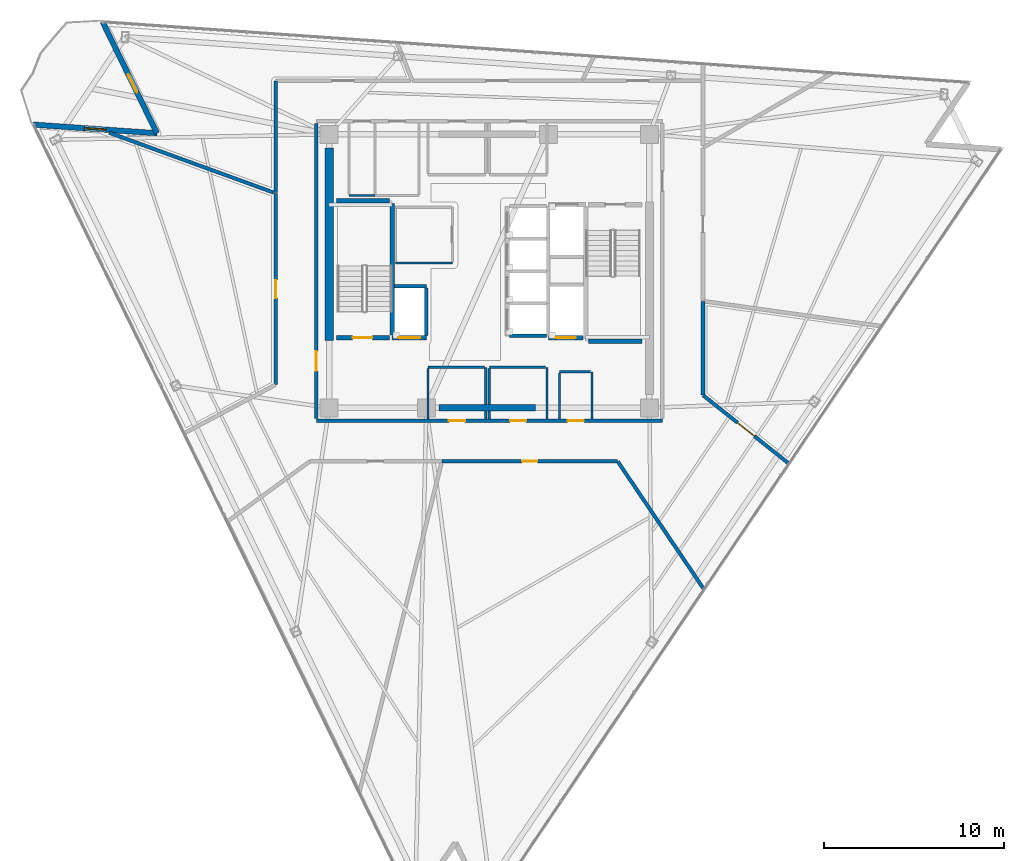
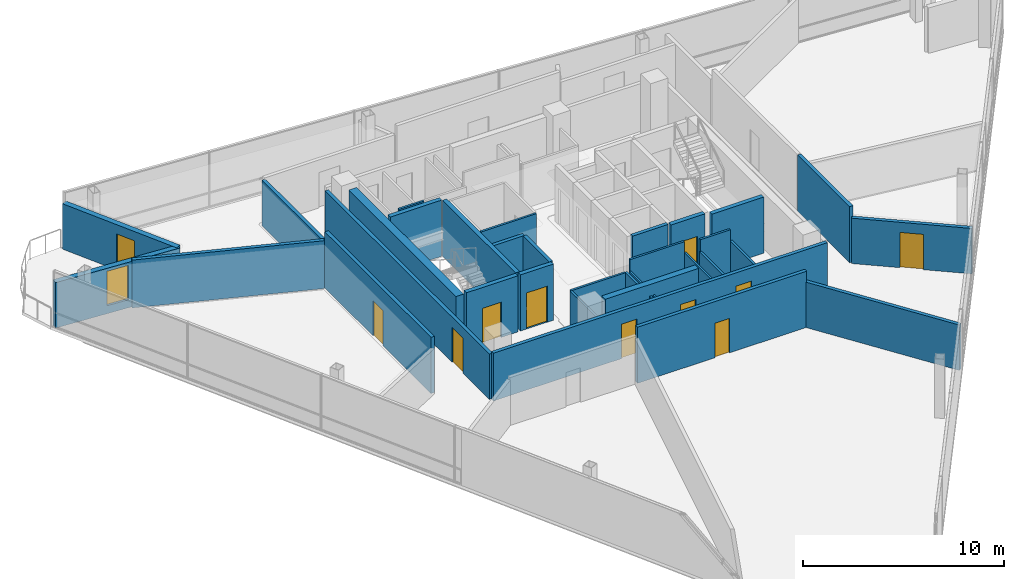
# One storey, part 9 of 13: 35 walls, 11 doors, 1 window, 12 openings.
"""IFC4 building model written with IfcOpenShell, lengths in metres."""

from ifc_helpers import new_model, si_unit, direction, frame, frame_2d, origin, place, context, subcontext, project, spatial, rectangle, extrude, material, layer, layer_set, type_object, element, fill, save


model = new_model("IFC4")

# Units and contexts
model_context = context("Model", 3, precision=1e-05, world=origin(), true_north=direction((0.0, 1.0)))
body_context = subcontext(model_context, "Body", "Model", "MODEL_VIEW")
ifc_project = project(units=[si_unit("LENGTHUNIT", "METRE"), si_unit("AREAUNIT", "SQUARE_METRE"), si_unit("VOLUMEUNIT", "CUBIC_METRE"), si_unit("PLANEANGLEUNIT", "RADIAN"), si_unit("MASSUNIT", "GRAM", prefix="KILO")], contexts=[model_context])

# Site, building, storey
site_placement = place(None, origin())
site = spatial("IfcSite", under=ifc_project, at=site_placement, CompositionType="ELEMENT")
building_placement = place(site_placement, origin())
building = spatial("IfcBuilding", under=site, at=building_placement, Name="Tharavind Bronze Gate", CompositionType="ELEMENT")
storey_placement = place(building_placement, frame((0.0, 0.0, 234.25)))
storey = spatial("IfcBuildingStorey", under=building, at=storey_placement, Name="L60", CompositionType="ELEMENT", Elevation=234.25)

# Wall, opening, door
ifc_material_1 = material(Name="Concrete C40/50", Category="concrete")
ifc_layer_1 = layer(ifc_material_1, 0.300048828125)
ifc_layer_set_1 = layer_set([ifc_layer_1], Name="Concrete C40/50")
wall_type_1 = type_object("IfcWallType", Name="EXTERIOR SPANDREL WALL 300", PredefinedType="STANDARD", material=ifc_layer_set_1)
wall_1_placement = place(storey_placement, frame((-21.489990234375, 13.844482421875, 0.0), z_axis=(0.0, 0.0, 1.0), x_axis=(0.438391471143, -0.898784133165, 0.0)))
wall_1 = element("IfcWall", 1, at=wall_1_placement, inside=storey, type_object=wall_type_1, Name="L60 notch cheek wall 1A", PredefinedType="STANDARD", context=body_context, shape_type="SweptSolid", body=[
    extrude(rectangle(XDim=6.8798828125, YDim=0.300048828125, at=frame_2d((3.43994140625, 0.0))), origin(), (0.0, 0.0, 1.0), 2.764892578125),
])
opening_1_placement = place(wall_1_placement, frame((3.248046875, 0.0, 0.0)))
opening_1 = element("IfcOpeningElement", 2, at=opening_1_placement, cuts=wall_1, Name="Opening ED04", PredefinedType="OPENING", context=body_context, shape_type="SweptSolid", body=[
    extrude(rectangle(XDim=1.10009765625, YDim=2.199951171875, at=frame_2d((0.550048828125, 1.10009765625))), frame((0.0, 0.15990234375, 0.0), z_axis=(0.0, -1.0, 0.0), x_axis=(1.0, 0.0, 0.0)), (0.0, 0.0, 1.0), 0.320048828125),
])
ifc_material_2 = material(Name="Bronze Aluminium & Toughened Glass", Category="aluminium")
door_type_1 = type_object("IfcDoorType", Name="TREE BALCONY ACCESS DOOR 1100X2200", OperationType="SINGLE_SWING_LEFT", PredefinedType="DOOR", material=ifc_material_2)
door_1_placement = place(opening_1_placement, origin())
door_1 = element("IfcDoor", 3, at=door_1_placement, inside=storey, type_object=door_type_1, Name="L60 tree balcony access door", OperationType="SINGLE_SWING_LEFT", OverallHeight=2.199951171875, OverallWidth=1.10009765625, PredefinedType="DOOR", context=body_context, shape_type="SweptSolid", body=[
    extrude(rectangle(XDim=1.10009765625, YDim=2.199951171875, at=frame_2d((0.550048828125, 1.10009765625))), frame((0.0, 0.02490234375, 0.0), z_axis=(0.0, -1.0, 0.0), x_axis=(1.0, 0.0, 0.0)), (0.0, 0.0, 1.0), 0.050048828125),
])
fill(opening_1, door_1)

# Wall, opening, window
wall_2_placement = place(storey_placement, frame((-18.473876953125, 7.660888671875, 0.0), z_axis=(0.0, 0.0, 1.0), x_axis=(-0.997565982203, 0.069728840176, 0.0)))
wall_2 = element("IfcWall", 4, at=wall_2_placement, inside=storey, type_object=wall_type_1, Name="L60 notch cheek wall 1B", PredefinedType="STANDARD", context=body_context, shape_type="SweptSolid", body=[
    extrude(rectangle(XDim=6.880126953125, YDim=0.300048828125, at=frame_2d((3.43994140625, 0.0))), origin(), (0.0, 0.0, 1.0), 2.764892578125),
])
opening_2_placement = place(wall_2_placement, frame((2.840087890625, 0.0, 0.485107421875)))
opening_2 = element("IfcOpeningElement", 5, at=opening_2_placement, cuts=wall_2, Name="Opening W01", PredefinedType="OPENING", context=body_context, shape_type="SweptSolid", body=[
    extrude(rectangle(XDim=1.199951171875, YDim=2.10009765625, at=frame_2d((0.60009765625, 1.050048828125))), frame((0.0, 0.15990234375, 0.0), z_axis=(0.0, -1.0, 0.0), x_axis=(1.0, 0.0, 0.0)), (0.0, 0.0, 1.0), 0.320048828125),
])
ifc_material_3 = material(Name="Bronze Aluminium & Low-E Glass", Category="aluminium")
window_type = type_object("IfcWindowType", Name="FIXED BRONZE CASEMENT WINDOW 1200X2100", PartitioningType="SINGLE_PANEL", PredefinedType="WINDOW", material=ifc_material_3)
window_placement = place(opening_2_placement, origin())
window = element("IfcWindow", 6, at=window_placement, inside=storey, type_object=window_type, Name="L60 exterior window WL-L60-NCB1-01", OverallHeight=2.10009765625, OverallWidth=1.199951171875, PartitioningType="SINGLE_PANEL", PredefinedType="WINDOW", context=body_context, shape_type="SweptSolid", body=[
    extrude(rectangle(XDim=1.199951171875, YDim=2.10009765625, at=frame_2d((0.60009765625, 1.050048828125))), frame((0.0, 0.030029296875, 0.0), z_axis=(0.0, -1.0, 0.0), x_axis=(1.0, 0.0, 0.0)), (0.0, 0.0, 1.0), 0.06005859375),
])
fill(opening_2, window)

# Wall, openings, doors
ifc_material_4 = material(Name="Aerated Concrete Block", Category="concrete")
ifc_layer_2 = layer(ifc_material_4, 0.199951171875)
ifc_layer_set_2 = layer_set([ifc_layer_2], Name="Aerated Concrete Block")
wall_type_2 = type_object("IfcWallType", Name="FIRE RATED PARTITION 200", PredefinedType="PARTITIONING", material=ifc_layer_set_2)
wall_3_placement = place(storey_placement, frame((-9.6201171875, -8.320068359375, 0.0), z_axis=(0.0, 0.0, 1.0), x_axis=(1.0, 0.0, 0.0)))
wall_3 = element("IfcWall", 7, at=wall_3_placement, inside=storey, type_object=wall_type_2, Name="L60 south core corridor wall", PredefinedType="PARTITIONING", context=body_context, shape_type="SweptSolid", body=[
    extrude(rectangle(XDim=19.240234375, YDim=0.199951171875, at=frame_2d((9.6201171875, 0.0))), origin(), (0.0, 0.0, 1.0), 2.9150390625),
])
opening_3_placement = place(wall_3_placement, frame((7.3701171875, 0.0, 0.0)))
opening_3 = element("IfcOpeningElement", 8, at=opening_3_placement, cuts=wall_3, Name="Opening ID07", PredefinedType="OPENING", context=body_context, shape_type="SweptSolid", body=[
    extrude(rectangle(XDim=0.89990234375, YDim=2.10009765625, at=frame_2d((0.449951171875, 1.050048828125))), frame((0.0, 0.11009765625, 0.0), z_axis=(0.0, -1.0, 0.0), x_axis=(1.0, 0.0, 0.0)), (0.0, 0.0, 1.0), 0.219951171875),
])
opening_4_placement = place(wall_3_placement, frame((10.77001953125, 0.0, 0.0)))
opening_4 = element("IfcOpeningElement", 9, at=opening_4_placement, cuts=wall_3, Name="Opening ID07", PredefinedType="OPENING", context=body_context, shape_type="SweptSolid", body=[
    extrude(rectangle(XDim=0.89990234375, YDim=2.10009765625, at=frame_2d((0.449951171875, 1.050048828125))), frame((0.0, 0.11009765625, 0.0), z_axis=(0.0, -1.0, 0.0), x_axis=(1.0, 0.0, 0.0)), (0.0, 0.0, 1.0), 0.219951171875),
])
opening_5_placement = place(wall_3_placement, frame((13.969970703125, 0.0, 0.0)))
opening_5 = element("IfcOpeningElement", 10, at=opening_5_placement, cuts=wall_3, Name="Opening ID07", PredefinedType="OPENING", context=body_context, shape_type="SweptSolid", body=[
    extrude(rectangle(XDim=0.89990234375, YDim=2.10009765625, at=frame_2d((0.449951171875, 1.050048828125))), frame((0.0, 0.11009765625, 0.0), z_axis=(0.0, -1.0, 0.0), x_axis=(1.0, 0.0, 0.0)), (0.0, 0.0, 1.0), 0.219951171875),
])
ifc_material_5 = material(Name="Galvanised Fire Steel", Category="steel")
door_type_2 = type_object("IfcDoorType", Name="PLANT AND RISER FIRE DOOR 900X2100", OperationType="SINGLE_SWING_LEFT", PredefinedType="DOOR", material=ifc_material_5)
door_2_placement = place(opening_3_placement, frame((0.89990234375, 0.0, 0.0), z_axis=(0.0, 0.0, 1.0), x_axis=(-1.0, 0.0, 0.0)))
door_2 = element("IfcDoor", 11, at=door_2_placement, inside=storey, type_object=door_type_2, Name="L60 Core Archive Store fire door", OperationType="SINGLE_SWING_LEFT", OverallHeight=2.10009765625, OverallWidth=0.89990234375, PredefinedType="DOOR", context=body_context, shape_type="SweptSolid", body=[
    extrude(rectangle(XDim=0.89990234375, YDim=2.10009765625, at=frame_2d((0.449951171875, 1.050048828125))), frame((0.0, 0.02490234375, 0.0), z_axis=(0.0, -1.0, 0.0), x_axis=(1.0, 0.0, 0.0)), (0.0, 0.0, 1.0), 0.050048828125),
])
fill(opening_3, door_2)
door_3_placement = place(opening_4_placement, frame((0.89990234375, 0.0, 0.0), z_axis=(0.0, 0.0, 1.0), x_axis=(-1.0, 0.0, 0.0)))
door_3 = element("IfcDoor", 12, at=door_3_placement, inside=storey, type_object=door_type_2, Name="L60 Core Server Room fire door", OperationType="SINGLE_SWING_LEFT", OverallHeight=2.10009765625, OverallWidth=0.89990234375, PredefinedType="DOOR", context=body_context, shape_type="SweptSolid", body=[
    extrude(rectangle(XDim=0.89990234375, YDim=2.10009765625, at=frame_2d((0.449951171875, 1.050048828125))), frame((0.0, 0.02490234375, 0.0), z_axis=(0.0, -1.0, 0.0), x_axis=(1.0, 0.0, 0.0)), (0.0, 0.0, 1.0), 0.050048828125),
])
fill(opening_4, door_3)
door_4_placement = place(opening_5_placement, frame((0.89990234375, 0.0, 0.0), z_axis=(0.0, 0.0, 1.0), x_axis=(-1.0, 0.0, 0.0)))
door_4 = element("IfcDoor", 13, at=door_4_placement, inside=storey, type_object=door_type_2, Name="L60 Janitor Store Cupboard fire door", OperationType="SINGLE_SWING_LEFT", OverallHeight=2.10009765625, OverallWidth=0.89990234375, PredefinedType="DOOR", context=body_context, shape_type="SweptSolid", body=[
    extrude(rectangle(XDim=0.89990234375, YDim=2.10009765625, at=frame_2d((0.449951171875, 1.050048828125))), frame((0.0, 0.02490234375, 0.0), z_axis=(0.0, -1.0, 0.0), x_axis=(1.0, 0.0, 0.0)), (0.0, 0.0, 1.0), 0.050048828125),
])
fill(opening_5, door_4)

# Wall, opening, door
wall_4_placement = place(storey_placement, frame((-9.6201171875, 8.199951171875, 0.0), z_axis=(0.0, 0.0, 1.0), x_axis=(0.0, -1.0, 0.0)))
wall_4 = element("IfcWall", 14, at=wall_4_placement, inside=storey, type_object=wall_type_2, Name="L60 west core corridor wall", PredefinedType="PARTITIONING", context=body_context, shape_type="SweptSolid", body=[
    extrude(rectangle(XDim=16.39990234375, YDim=0.199951171875, at=frame_2d((8.199951171875, 0.0))), origin(), (0.0, 0.0, 1.0), 2.764892578125),
])
opening_6_placement = place(wall_4_placement, frame((12.64990234375, 0.0, 0.0)))
opening_6 = element("IfcOpeningElement", 15, at=opening_6_placement, cuts=wall_4, Name="Opening ID01", PredefinedType="OPENING", context=body_context, shape_type="SweptSolid", body=[
    extrude(rectangle(XDim=1.10009765625, YDim=2.14990234375, at=frame_2d((0.550048828125, 1.074951171875))), frame((0.0, 0.11009765625, 0.0), z_axis=(0.0, -1.0, 0.0), x_axis=(1.0, 0.0, 0.0)), (0.0, 0.0, 1.0), 0.219951171875),
])
ifc_material_6 = material(Name="Fire-Rated Steel", Category="steel")
door_type_3 = type_object("IfcDoorType", Name="STAIR CORE FIRE DOOR 1100X2150", OperationType="SINGLE_SWING_LEFT", PredefinedType="DOOR", material=ifc_material_6)
door_5_placement = place(opening_6_placement, frame((1.10009765625, 0.0, 0.0), z_axis=(0.0, 0.0, 1.0), x_axis=(-1.0, 0.0, 0.0)))
door_5 = element("IfcDoor", 16, at=door_5_placement, inside=storey, type_object=door_type_3, Name="L60 south west stair lobby fire door", OperationType="SINGLE_SWING_LEFT", OverallHeight=2.14990234375, OverallWidth=1.10009765625, PredefinedType="DOOR", context=body_context, shape_type="SweptSolid", body=[
    extrude(rectangle(XDim=1.10009765625, YDim=2.14990234375, at=frame_2d((0.550048828125, 1.074951171875))), frame((0.0, 0.02490234375, 0.0), z_axis=(0.0, -1.0, 0.0), x_axis=(1.0, 0.0, 0.0)), (0.0, 0.0, 1.0), 0.050048828125),
])
fill(opening_6, door_5)

wall_5_placement = place(storey_placement, frame((-2.618408203125, -10.580078125, 0.0), z_axis=(0.0, 0.0, 1.0), x_axis=(1.0, 0.0, 0.0)))
wall_5 = element("IfcWall", 17, at=wall_5_placement, inside=storey, type_object=wall_type_2, Name="L60 Public Restrooms Block partition", PredefinedType="PARTITIONING", context=body_context, shape_type="SweptSolid", body=[
    extrude(rectangle(XDim=9.741455078125, YDim=0.199951171875, at=frame_2d((4.87060546875, 0.0))), origin(), (0.0, 0.0, 1.0), 3.419921875),
])
opening_7_placement = place(wall_5_placement, frame((4.446044921875, 0.0, 0.0)))
opening_7 = element("IfcOpeningElement", 18, at=opening_7_placement, cuts=wall_5, Name="Opening ID06", PredefinedType="OPENING", context=body_context, shape_type="SweptSolid", body=[
    extrude(rectangle(XDim=0.85009765625, YDim=2.10009765625, at=frame_2d((0.425048828125, 1.050048828125))), frame((0.0, 0.11009765625, 0.0), z_axis=(0.0, -1.0, 0.0), x_axis=(1.0, 0.0, 0.0)), (0.0, 0.0, 1.0), 0.219951171875),
])
ifc_material_7 = material(Name="Moisture-Resistant Timber", Category="wood")
door_type_4 = type_object("IfcDoorType", Name="BATHROOM PRIVACY DOOR 850X2100", OperationType="SINGLE_SWING_RIGHT", PredefinedType="DOOR", material=ifc_material_7)
door_6_placement = place(opening_7_placement, origin())
door_6 = element("IfcDoor", 19, at=door_6_placement, inside=storey, type_object=door_type_4, Name="L60 Public Restrooms Block door", OperationType="SINGLE_SWING_RIGHT", OverallHeight=2.10009765625, OverallWidth=0.85009765625, PredefinedType="DOOR", context=body_context, shape_type="SweptSolid", body=[
    extrude(rectangle(XDim=0.85009765625, YDim=2.10009765625, at=frame_2d((0.425048828125, 1.050048828125))), frame((0.0, 0.02490234375, 0.0), z_axis=(0.0, -1.0, 0.0), x_axis=(1.0, 0.0, 0.0)), (0.0, 0.0, 1.0), 0.050048828125),
])
fill(opening_7, door_6)

# Walls
wall_6_placement = place(storey_placement, frame((7.143798828125, -10.591064453125, 0.0), z_axis=(0.0, 0.0, 1.0), x_axis=(0.559201490927, -0.829031780178, 0.0)))
element("IfcWall", 20, at=wall_6_placement, inside=storey, type_object=wall_type_2, Name="L60 Public Restrooms Block partition", PredefinedType="PARTITIONING", context=body_context, shape_type="SweptSolid", body=[
    extrude(rectangle(XDim=8.545654296875, YDim=0.199951171875, at=frame_2d((4.27294921875, 0.0))), origin(), (0.0, 0.0, 1.0), 2.764892578125),
])
wall_7_placement = place(storey_placement, frame((-11.8798828125, 10.579345703125, 0.0), z_axis=(0.0, 0.0, 1.0), x_axis=(0.0, -1.0, 0.0)))
element("IfcWall", 21, at=wall_7_placement, inside=storey, type_object=wall_type_2, Name="L60 Executive Briefing Room partition", PredefinedType="PARTITIONING", context=body_context, shape_type="SweptSolid", body=[
    extrude(rectangle(XDim=6.2197265625, YDim=0.199951171875, at=frame_2d((3.10986328125, 0.0))), origin(), (0.0, 0.0, 1.0), 2.764892578125),
])
wall_8_placement = place(storey_placement, frame((-11.985107421875, 4.3623046875, 0.0), z_axis=(0.0, 0.0, 1.0), x_axis=(-0.939690854179, 0.342024996999, 0.0)))
element("IfcWall", 22, at=wall_8_placement, inside=storey, type_object=wall_type_2, Name="L60 Executive Briefing Room partition", PredefinedType="PARTITIONING", context=body_context, shape_type="SweptSolid", body=[
    extrude(rectangle(XDim=9.7333984375, YDim=0.199951171875, at=frame_2d((4.86669921875, 0.0))), origin(), (0.0, 0.0, 1.0), 2.9150390625),
])

# Wall, opening, door
wall_9_placement = place(storey_placement, frame((-11.8798828125, 4.306396484375, 0.0), z_axis=(0.0, 0.0, 1.0), x_axis=(0.0, -1.0, 0.0)))
wall_9 = element("IfcWall", 23, at=wall_9_placement, inside=storey, type_object=wall_type_2, Name="L60 Co-Working Open Office partition", PredefinedType="PARTITIONING", context=body_context, shape_type="SweptSolid", body=[
    extrude(rectangle(XDim=10.608154296875, YDim=0.199951171875, at=frame_2d((5.30419921875, 0.0))), origin(), (0.0, 0.0, 1.0), 3.419921875),
])
opening_8_placement = place(wall_9_placement, frame((4.803955078125, 0.0, 0.0)))
opening_8 = element("IfcOpeningElement", 24, at=opening_8_placement, cuts=wall_9, Name="Opening ID04", PredefinedType="OPENING", context=body_context, shape_type="SweptSolid", body=[
    extrude(rectangle(XDim=1.0, YDim=2.14990234375, at=frame_2d((0.5, 1.074951171875))), frame((0.0, 0.11009765625, 0.0), z_axis=(0.0, -1.0, 0.0), x_axis=(1.0, 0.0, 0.0)), (0.0, 0.0, 1.0), 0.219951171875),
])
ifc_material_8 = material(Name="Bronze Framed Acoustic Timber", Category="wood")
door_type_5 = type_object("IfcDoorType", Name="OFFICE TENANCY DOOR 1000X2150", OperationType="SINGLE_SWING_RIGHT", PredefinedType="DOOR", material=ifc_material_8)
door_7_placement = place(opening_8_placement, origin())
door_7 = element("IfcDoor", 25, at=door_7_placement, inside=storey, type_object=door_type_5, Name="L60 Co-Working Open Office door", OperationType="SINGLE_SWING_RIGHT", OverallHeight=2.14990234375, OverallWidth=1.0, PredefinedType="DOOR", context=body_context, shape_type="SweptSolid", body=[
    extrude(rectangle(XDim=1.0, YDim=2.14990234375, at=frame_2d((0.5, 1.074951171875))), frame((0.0, 0.02490234375, 0.0), z_axis=(0.0, -1.0, 0.0), x_axis=(1.0, 0.0, 0.0)), (0.0, 0.0, 1.0), 0.050048828125),
])
fill(opening_8, door_7)

wall_10_placement = place(storey_placement, frame((16.647705078125, -10.698486328125, 0.0), z_axis=(0.0, 0.0, 1.0), x_axis=(-0.782393880824, 0.622783923402, 0.0)))
wall_10 = element("IfcWall", 26, at=wall_10_placement, inside=storey, type_object=wall_type_2, Name="L60 Espresso Cafe partition", PredefinedType="PARTITIONING", context=body_context, shape_type="SweptSolid", body=[
    extrude(rectangle(XDim=6.081787109375, YDim=0.199951171875, at=frame_2d((3.041015625, 0.0))), origin(), (0.0, 0.0, 1.0), 2.764892578125),
])
opening_9_placement = place(wall_10_placement, frame((2.44091796875, 0.0, 0.0)))
opening_9 = element("IfcOpeningElement", 27, at=opening_9_placement, cuts=wall_10, Name="Opening ID05", PredefinedType="OPENING", context=body_context, shape_type="SweptSolid", body=[
    extrude(rectangle(XDim=1.199951171875, YDim=2.14990234375, at=frame_2d((0.60009765625, 1.074951171875))), frame((0.0, 0.11009765625, 0.0), z_axis=(0.0, -1.0, 0.0), x_axis=(1.0, 0.0, 0.0)), (0.0, 0.0, 1.0), 0.219951171875),
])
ifc_material_9 = material(Name="Acoustic Laminated Glass", Category="glass")
door_type_6 = type_object("IfcDoorType", Name="MEETING ROOM GLAZED DOOR 1200X2150", OperationType="SINGLE_SWING_LEFT", PredefinedType="DOOR", material=ifc_material_9)
door_8_placement = place(opening_9_placement, origin())
door_8 = element("IfcDoor", 28, at=door_8_placement, inside=storey, type_object=door_type_6, Name="L60 Espresso Cafe door", OperationType="SINGLE_SWING_LEFT", OverallHeight=2.14990234375, OverallWidth=1.199951171875, PredefinedType="DOOR", context=body_context, shape_type="SweptSolid", body=[
    extrude(rectangle(XDim=1.199951171875, YDim=2.14990234375, at=frame_2d((0.60009765625, 1.074951171875))), frame((0.0, 0.02490234375, 0.0), z_axis=(0.0, -1.0, 0.0), x_axis=(1.0, 0.0, 0.0)), (0.0, 0.0, 1.0), 0.050048828125),
])
fill(opening_9, door_8)

# Walls
wall_11_placement = place(storey_placement, frame((11.8798828125, -6.891357421875, 0.0), z_axis=(0.0, 0.0, 1.0), x_axis=(0.0, 1.0, 0.0)))
element("IfcWall", 29, at=wall_11_placement, inside=storey, type_object=wall_type_2, Name="L60 Espresso Cafe partition", PredefinedType="PARTITIONING", context=body_context, shape_type="SweptSolid", body=[
    extrude(rectangle(XDim=5.19287109375, YDim=0.199951171875, at=frame_2d((2.596435546875, 0.0))), origin(), (0.0, 0.0, 1.0), 3.419921875),
])
ifc_material_10 = material(Name="Metal Stud Gypsum Partition", Category="gypsum")
ifc_layer_3 = layer(ifc_material_10, 0.1201171875)
ifc_layer_set_3 = layer_set([ifc_layer_3], Name="Metal Stud Gypsum Partition")
wall_type_3 = type_object("IfcWallType", Name="INTERIOR PARTITION WALL 120", PredefinedType="PARTITIONING", material=ifc_layer_set_3)
wall_12_placement = place(storey_placement, frame((-5.219970703125, 0.449951171875, 0.0), z_axis=(0.0, 0.0, 1.0), x_axis=(1.0, 0.0, 0.0)))
element("IfcWall", 30, at=wall_12_placement, inside=storey, type_object=wall_type_3, Name="L60 Electrical & Telecom Store partition 1", PredefinedType="PARTITIONING", context=body_context, shape_type="SweptSolid", body=[
    extrude(rectangle(XDim=3.169921875, YDim=0.1201171875, at=frame_2d((1.5849609375, 0.0))), origin(), (0.0, 0.0, 1.0), 3.419921875),
])
wall_13_placement = place(storey_placement, frame((-0.199951171875, -8.215087890625, 0.0), z_axis=(0.0, 0.0, 1.0), x_axis=(0.0, 1.0, 0.0)))
element("IfcWall", 31, at=wall_13_placement, inside=storey, type_object=wall_type_3, Name="L60 Core Archive Store partition 2", PredefinedType="PARTITIONING", context=body_context, shape_type="SweptSolid", body=[
    extrude(rectangle(XDim=0.43505859375, YDim=0.1201171875, at=frame_2d((0.217529296875, 0.0))), origin(), (0.0, 0.0, 1.0), 2.715087890625),
])
wall_14_placement = place(storey_placement, frame((-0.199951171875, -7.419921875, 0.0), z_axis=(0.0, 0.0, 1.0), x_axis=(0.0, 1.0, 0.0)))
element("IfcWall", 32, at=wall_14_placement, inside=storey, type_object=wall_type_3, Name="L60 Core Archive Store partition 2", PredefinedType="PARTITIONING", context=body_context, shape_type="SweptSolid", body=[
    extrude(rectangle(XDim=2.06982421875, YDim=0.1201171875, at=frame_2d((1.034912109375, 0.0))), origin(), (0.0, 0.0, 1.0), 2.715087890625),
])
wall_15_placement = place(storey_placement, frame((-0.264892578125, -5.35009765625, 0.0), z_axis=(0.0, 0.0, 1.0), x_axis=(-1.0, 0.0, 0.0)))
element("IfcWall", 33, at=wall_15_placement, inside=storey, type_object=wall_type_3, Name="L60 Core Archive Store partition 3", PredefinedType="PARTITIONING", context=body_context, shape_type="SweptSolid", body=[
    extrude(rectangle(XDim=3.135009765625, YDim=0.1201171875, at=frame_2d((1.5673828125, 0.0))), origin(), (0.0, 0.0, 1.0), 2.715087890625),
])
wall_16_placement = place(storey_placement, frame((-3.39990234375, -5.4150390625, 0.0), z_axis=(0.0, 0.0, 1.0), x_axis=(0.0, -1.0, 0.0)))
element("IfcWall", 34, at=wall_16_placement, inside=storey, type_object=wall_type_3, Name="L60 Core Archive Store partition 4", PredefinedType="PARTITIONING", context=body_context, shape_type="SweptSolid", body=[
    extrude(rectangle(XDim=2.800048828125, YDim=0.1201171875, at=frame_2d((1.39990234375, 0.0))), origin(), (0.0, 0.0, 1.0), 2.715087890625),
])
wall_17_placement = place(storey_placement, frame((3.199951171875, -8.215087890625, 0.0), z_axis=(0.0, 0.0, 1.0), x_axis=(0.0, 1.0, 0.0)))
element("IfcWall", 35, at=wall_17_placement, inside=storey, type_object=wall_type_3, Name="L60 Core Server Room partition 2", PredefinedType="PARTITIONING", context=body_context, shape_type="SweptSolid", body=[
    extrude(rectangle(XDim=2.864990234375, YDim=0.1201171875, at=frame_2d((1.4326171875, 0.0))), origin(), (0.0, 0.0, 1.0), 2.715087890625),
])
wall_18_placement = place(storey_placement, frame((3.135009765625, -5.35009765625, 0.0), z_axis=(0.0, 0.0, 1.0), x_axis=(-1.0, 0.0, 0.0)))
element("IfcWall", 36, at=wall_18_placement, inside=storey, type_object=wall_type_3, Name="L60 Core Server Room partition 3", PredefinedType="PARTITIONING", context=body_context, shape_type="SweptSolid", body=[
    extrude(rectangle(XDim=3.135009765625, YDim=0.1201171875, at=frame_2d((1.5673828125, 0.0))), origin(), (0.0, 0.0, 1.0), 3.419921875),
])
wall_19_placement = place(storey_placement, frame((0.0, -5.4150390625, 0.0), z_axis=(0.0, 0.0, 1.0), x_axis=(0.0, -1.0, 0.0)))
element("IfcWall", 37, at=wall_19_placement, inside=storey, type_object=wall_type_3, Name="L60 Core Server Room partition 4", PredefinedType="PARTITIONING", context=body_context, shape_type="SweptSolid", body=[
    extrude(rectangle(XDim=2.0048828125, YDim=0.1201171875, at=frame_2d((1.00244140625, 0.0))), origin(), (0.0, 0.0, 1.0), 2.715087890625),
])
wall_20_placement = place(storey_placement, frame((0.0, -7.780029296875, 0.0), z_axis=(0.0, 0.0, 1.0), x_axis=(0.0, -1.0, 0.0)))
element("IfcWall", 38, at=wall_20_placement, inside=storey, type_object=wall_type_3, Name="L60 Core Server Room partition 4", PredefinedType="PARTITIONING", context=body_context, shape_type="SweptSolid", body=[
    extrude(rectangle(XDim=0.43505859375, YDim=0.1201171875, at=frame_2d((0.217529296875, 0.0))), origin(), (0.0, 0.0, 1.0), 2.715087890625),
])
wall_21_placement = place(storey_placement, frame((-7.800048828125, 4.199951171875, 0.0), z_axis=(0.0, 0.0, 1.0), x_axis=(1.0, 0.0, 0.0)))
element("IfcWall", 39, at=wall_21_placement, inside=storey, type_object=wall_type_3, Name="L60 Battery Backup Cupboard partition 1", PredefinedType="PARTITIONING", context=body_context, shape_type="SweptSolid", body=[
    extrude(rectangle(XDim=1.449951171875, YDim=0.1201171875, at=frame_2d((0.72509765625, 0.0))), origin(), (0.0, 0.0, 1.0), 3.419921875),
])
wall_22_placement = place(storey_placement, frame((5.699951171875, -8.215087890625, 0.0), z_axis=(0.0, 0.0, 1.0), x_axis=(0.0, 1.0, 0.0)))
element("IfcWall", 40, at=wall_22_placement, inside=storey, type_object=wall_type_3, Name="L60 Janitor Store Cupboard partition 2", PredefinedType="PARTITIONING", context=body_context, shape_type="SweptSolid", body=[
    extrude(rectangle(XDim=2.614990234375, YDim=0.1201171875, at=frame_2d((1.3076171875, 0.0))), origin(), (0.0, 0.0, 1.0), 2.715087890625),
])
wall_23_placement = place(storey_placement, frame((5.635009765625, -5.60009765625, 0.0), z_axis=(0.0, 0.0, 1.0), x_axis=(-1.0, 0.0, 0.0)))
element("IfcWall", 41, at=wall_23_placement, inside=storey, type_object=wall_type_3, Name="L60 Janitor Store Cupboard partition 3", PredefinedType="PARTITIONING", context=body_context, shape_type="SweptSolid", body=[
    extrude(rectangle(XDim=1.735107421875, YDim=0.1201171875, at=frame_2d((0.86767578125, 0.0))), origin(), (0.0, 0.0, 1.0), 3.419921875),
])
wall_24_placement = place(storey_placement, frame((3.89990234375, -5.6650390625, 0.0), z_axis=(0.0, 0.0, 1.0), x_axis=(0.0, -1.0, 0.0)))
element("IfcWall", 42, at=wall_24_placement, inside=storey, type_object=wall_type_3, Name="L60 Janitor Store Cupboard partition 4", PredefinedType="PARTITIONING", context=body_context, shape_type="SweptSolid", body=[
    extrude(rectangle(XDim=2.550048828125, YDim=0.1201171875, at=frame_2d((1.27490234375, 0.0))), origin(), (0.0, 0.0, 1.0), 2.715087890625),
])
ifc_material_11 = material(Name="Concrete C50/60", Category="concrete")
ifc_layer_4 = layer(ifc_material_11, 0.25)
ifc_layer_set_4 = layer_set([ifc_layer_4], Name="Concrete C50/60")
wall_type_4 = type_object("IfcWallType", Name="RC CORE SHEAR WALL 250", PredefinedType="SHEAR", material=ifc_layer_set_4)
wall_25_placement = place(storey_placement, frame((-5.39990234375, -3.550048828125, 0.0), z_axis=(0.0, 0.0, 1.0), x_axis=(0.0, 1.0, 0.0)))
element("IfcWall", 43, at=wall_25_placement, inside=storey, type_object=wall_type_4, Name="L60 ST1 shaft east wall", PredefinedType="SHEAR", context=body_context, shape_type="SweptSolid", body=[
    extrude(rectangle(XDim=7.300048828125, YDim=0.25, at=frame_2d((3.64990234375, 0.0))), origin(), (0.0, 0.0, 1.0), 3.419921875),
])

# Wall, opening, door
wall_26_placement = place(storey_placement, frame((-8.5, -3.699951171875, 0.0), z_axis=(0.0, 0.0, 1.0), x_axis=(1.0, 0.0, 0.0)))
wall_26 = element("IfcWall", 44, at=wall_26_placement, inside=storey, type_object=wall_type_4, Name="L60 ST1 shaft south wall", PredefinedType="SHEAR", context=body_context, shape_type="SweptSolid", body=[
    extrude(rectangle(XDim=2.949951171875, YDim=0.25, at=frame_2d((1.47509765625, 0.0))), origin(), (0.0, 0.0, 1.0), 3.419921875),
])
opening_10_placement = place(wall_26_placement, frame((0.89990234375, 0.0, 0.0)))
opening_10 = element("IfcOpeningElement", 45, at=opening_10_placement, cuts=wall_26, Name="Opening ID01", PredefinedType="OPENING", context=body_context, shape_type="SweptSolid", body=[
    extrude(rectangle(XDim=1.10009765625, YDim=2.14990234375, at=frame_2d((0.550048828125, 1.074951171875))), frame((0.0, 0.135, 0.0), z_axis=(0.0, -1.0, 0.0), x_axis=(1.0, 0.0, 0.0)), (0.0, 0.0, 1.0), 0.27),
])
door_9_placement = place(opening_10_placement, origin())
door_9 = element("IfcDoor", 46, at=door_9_placement, inside=storey, type_object=door_type_3, Name="L60 exit stair ST1 fire door", OperationType="SINGLE_SWING_LEFT", OverallHeight=2.14990234375, OverallWidth=1.10009765625, PredefinedType="DOOR", context=body_context, shape_type="SweptSolid", body=[
    extrude(rectangle(XDim=1.10009765625, YDim=2.14990234375, at=frame_2d((0.550048828125, 1.074951171875))), frame((0.0, 0.02490234375, 0.0), z_axis=(0.0, -1.0, 0.0), x_axis=(1.0, 0.0, 0.0)), (0.0, 0.0, 1.0), 0.050048828125),
])
fill(opening_10, door_9)

# Walls
wall_27_placement = place(storey_placement, frame((-8.5, 3.89990234375, 0.0), z_axis=(0.0, 0.0, 1.0), x_axis=(1.0, 0.0, 0.0)))
element("IfcWall", 47, at=wall_27_placement, inside=storey, type_object=wall_type_4, Name="L60 ST1 shaft north wall", PredefinedType="SHEAR", context=body_context, shape_type="SweptSolid", body=[
    extrude(rectangle(XDim=2.949951171875, YDim=0.25, at=frame_2d((1.47509765625, 0.0))), origin(), (0.0, 0.0, 1.0), 3.419921875),
])
wall_28_placement = place(storey_placement, frame((5.5, -3.89990234375, 0.0), z_axis=(0.0, 0.0, 1.0), x_axis=(1.0, 0.0, 0.0)))
element("IfcWall", 48, at=wall_28_placement, inside=storey, type_object=wall_type_4, Name="L60 ST2 shaft south wall", PredefinedType="SHEAR", context=body_context, shape_type="SweptSolid", body=[
    extrude(rectangle(XDim=3.0, YDim=0.25, at=frame_2d((1.5, 0.0))), origin(), (0.0, 0.0, 1.0), 3.419921875),
])

# Wall, opening, door
wall_29_placement = place(storey_placement, frame((-5.39990234375, -3.699951171875, 0.0), z_axis=(0.0, 0.0, 1.0), x_axis=(1.0, 0.0, 0.0)))
wall_29 = element("IfcWall", 49, at=wall_29_placement, inside=storey, type_object=wall_type_4, Name="L60 lift FFL1 shaft front wall", PredefinedType="SHEAR", context=body_context, shape_type="SweptSolid", body=[
    extrude(rectangle(XDim=1.89990234375, YDim=0.25, at=frame_2d((0.949951171875, 0.0))), origin(), (0.0, 0.0, 1.0), 3.419921875),
])
opening_11_placement = place(wall_29_placement, frame((0.35009765625, 0.0, 0.0)))
opening_11 = element("IfcOpeningElement", 50, at=opening_11_placement, cuts=wall_29, Name="Opening LD02", PredefinedType="OPENING", context=body_context, shape_type="SweptSolid", body=[
    extrude(rectangle(XDim=1.199951171875, YDim=2.199951171875, at=frame_2d((0.60009765625, 1.10009765625))), frame((0.0, 0.135, 0.0), z_axis=(0.0, -1.0, 0.0), x_axis=(1.0, 0.0, 0.0)), (0.0, 0.0, 1.0), 0.27),
])
ifc_material_12 = material(Name="Brushed Stainless Steel", Category="steel")
door_type_7 = type_object("IfcDoorType", Name="FIREFIGHTING LIFT LANDING DOOR 1200X2200", OperationType="SLIDING_TO_RIGHT", PredefinedType="DOOR", material=ifc_material_12)
door_10_placement = place(opening_11_placement, origin())
door_10 = element("IfcDoor", 51, at=door_10_placement, inside=storey, type_object=door_type_7, Name="L60 lift FFL1 sliding landing door", OperationType="SLIDING_TO_RIGHT", OverallHeight=2.199951171875, OverallWidth=1.199951171875, PredefinedType="DOOR", context=body_context, shape_type="SweptSolid", body=[
    extrude(rectangle(XDim=1.199951171875, YDim=2.199951171875, at=frame_2d((0.60009765625, 1.10009765625))), frame((0.0, 0.02490234375, 0.0), z_axis=(0.0, -1.0, 0.0), x_axis=(1.0, 0.0, 0.0)), (0.0, 0.0, 1.0), 0.050048828125),
])
fill(opening_11, door_10)

wall_30_placement = place(storey_placement, frame((3.280029296875, -3.699951171875, 0.0), z_axis=(0.0, 0.0, 1.0), x_axis=(1.0, 0.0, 0.0)))
wall_30 = element("IfcWall", 52, at=wall_30_placement, inside=storey, type_object=wall_type_4, Name="L60 lift SVL1 shaft front wall", PredefinedType="SHEAR", context=body_context, shape_type="SweptSolid", body=[
    extrude(rectangle(XDim=1.93994140625, YDim=0.25, at=frame_2d((0.969970703125, 0.0))), origin(), (0.0, 0.0, 1.0), 3.419921875),
])
opening_12_placement = place(wall_30_placement, frame((0.419921875, 0.0, 0.0)))
opening_12 = element("IfcOpeningElement", 53, at=opening_12_placement, cuts=wall_30, Name="Opening LD01", PredefinedType="OPENING", context=body_context, shape_type="SweptSolid", body=[
    extrude(rectangle(XDim=1.10009765625, YDim=2.199951171875, at=frame_2d((0.550048828125, 1.10009765625))), frame((0.0, 0.135, 0.0), z_axis=(0.0, -1.0, 0.0), x_axis=(1.0, 0.0, 0.0)), (0.0, 0.0, 1.0), 0.27),
])
ifc_material_13 = material(Name="Brushed Bronze Stainless Steel", Category="steel")
door_type_8 = type_object("IfcDoorType", Name="LIFT LANDING SLIDING DOOR 1100X2200", OperationType="SLIDING_TO_LEFT", PredefinedType="DOOR", material=ifc_material_13)
door_11_placement = place(opening_12_placement, origin())
door_11 = element("IfcDoor", 54, at=door_11_placement, inside=storey, type_object=door_type_8, Name="L60 lift SVL1 sliding landing door", OperationType="SLIDING_TO_LEFT", OverallHeight=2.199951171875, OverallWidth=1.10009765625, PredefinedType="DOOR", context=body_context, shape_type="SweptSolid", body=[
    extrude(rectangle(XDim=1.10009765625, YDim=2.199951171875, at=frame_2d((0.550048828125, 1.10009765625))), frame((0.0, 0.02490234375, 0.0), z_axis=(0.0, -1.0, 0.0), x_axis=(1.0, 0.0, 0.0)), (0.0, 0.0, 1.0), 0.050048828125),
])
fill(opening_12, door_11)

# Walls
ifc_layer_5 = layer(ifc_material_11, 0.35009765625)
ifc_layer_set_5 = layer_set([ifc_layer_5], Name="Concrete C50/60")
wall_type_5 = type_object("IfcWallType", Name="RC CORE SHEAR WALL 350", PredefinedType="SHEAR", material=ifc_layer_set_5)
wall_31_placement = place(storey_placement, frame((-2.800048828125, -7.60009765625, 0.0), z_axis=(0.0, 0.0, 1.0), x_axis=(1.0, 0.0, 0.0)))
element("IfcWall", 55, at=wall_31_placement, inside=storey, type_object=wall_type_5, Name="L60 south core shear wall", PredefinedType="SHEAR", context=body_context, shape_type="SweptSolid", body=[
    extrude(rectangle(XDim=5.380126953125, YDim=0.35009765625, at=frame_2d((2.68994140625, 0.0))), origin(), (0.0, 0.0, 1.0), 3.419921875),
])
ifc_material_14 = material(Name="Concrete C60/75", Category="concrete")
ifc_layer_6 = layer(ifc_material_14, 0.449951171875)
ifc_layer_set_6 = layer_set([ifc_layer_6], Name="Concrete C60/75")
wall_type_6 = type_object("IfcWallType", Name="RC CORE SHEAR WALL 450", PredefinedType="SHEAR", material=ifc_layer_set_6)
wall_32_placement = place(storey_placement, frame((-8.89990234375, -3.85009765625, 0.0), z_axis=(0.0, 0.0, 1.0), x_axis=(0.0, 1.0, 0.0)))
element("IfcWall", 56, at=wall_32_placement, inside=storey, type_object=wall_type_6, Name="L60 west core shear wall", PredefinedType="SHEAR", context=body_context, shape_type="SweptSolid", body=[
    extrude(rectangle(XDim=10.7001953125, YDim=0.449951171875, at=frame_2d((5.35009765625, 0.0))), origin(), (0.0, 0.0, 1.0), 3.419921875),
])
ifc_layer_7 = layer(ifc_material_1, 0.199951171875)
ifc_layer_set_7 = layer_set([ifc_layer_7], Name="Concrete C40/50")
wall_type_7 = type_object("IfcWallType", Name="SHAFT ENCLOSURE WALL 200", PredefinedType="PARTITIONING", material=ifc_layer_set_7)
wall_33_placement = place(storey_placement, frame((1.1298828125, -3.60009765625, 0.0), z_axis=(0.0, 0.0, 1.0), x_axis=(1.0, 0.0, 0.0)))
element("IfcWall", 57, at=wall_33_placement, inside=storey, type_object=wall_type_7, Name="L60 lift PL9 shaft S enclosure wall", PredefinedType="PARTITIONING", context=body_context, shape_type="SweptSolid", body=[
    extrude(rectangle(XDim=2.045166015625, YDim=0.199951171875, at=frame_2d((1.0224609375, 0.0))), origin(), (0.0, 0.0, 1.0), 3.419921875),
])
wall_34_placement = place(storey_placement, frame((-5.27001953125, -0.85009765625, 0.0), z_axis=(0.0, 0.0, 1.0), x_axis=(1.0, 0.0, 0.0)))
element("IfcWall", 58, at=wall_34_placement, inside=storey, type_object=wall_type_7, Name="L60 lift FFL1 shaft N enclosure wall", PredefinedType="PARTITIONING", context=body_context, shape_type="SweptSolid", body=[
    extrude(rectangle(XDim=1.77001953125, YDim=0.199951171875, at=frame_2d((0.885009765625, 0.0))), origin(), (0.0, 0.0, 1.0), 3.419921875),
])
wall_35_placement = place(storey_placement, frame((-3.5, -3.570068359375, 0.0), z_axis=(0.0, 0.0, 1.0), x_axis=(0.0, 1.0, 0.0)))
element("IfcWall", 59, at=wall_35_placement, inside=storey, type_object=wall_type_7, Name="L60 lift FFL1 shaft E enclosure wall", PredefinedType="PARTITIONING", context=body_context, shape_type="SweptSolid", body=[
    extrude(rectangle(XDim=2.614990234375, YDim=0.199951171875, at=frame_2d((1.3076171875, 0.0))), origin(), (0.0, 0.0, 1.0), 3.419921875),
])

save(model, "model.ifc")
